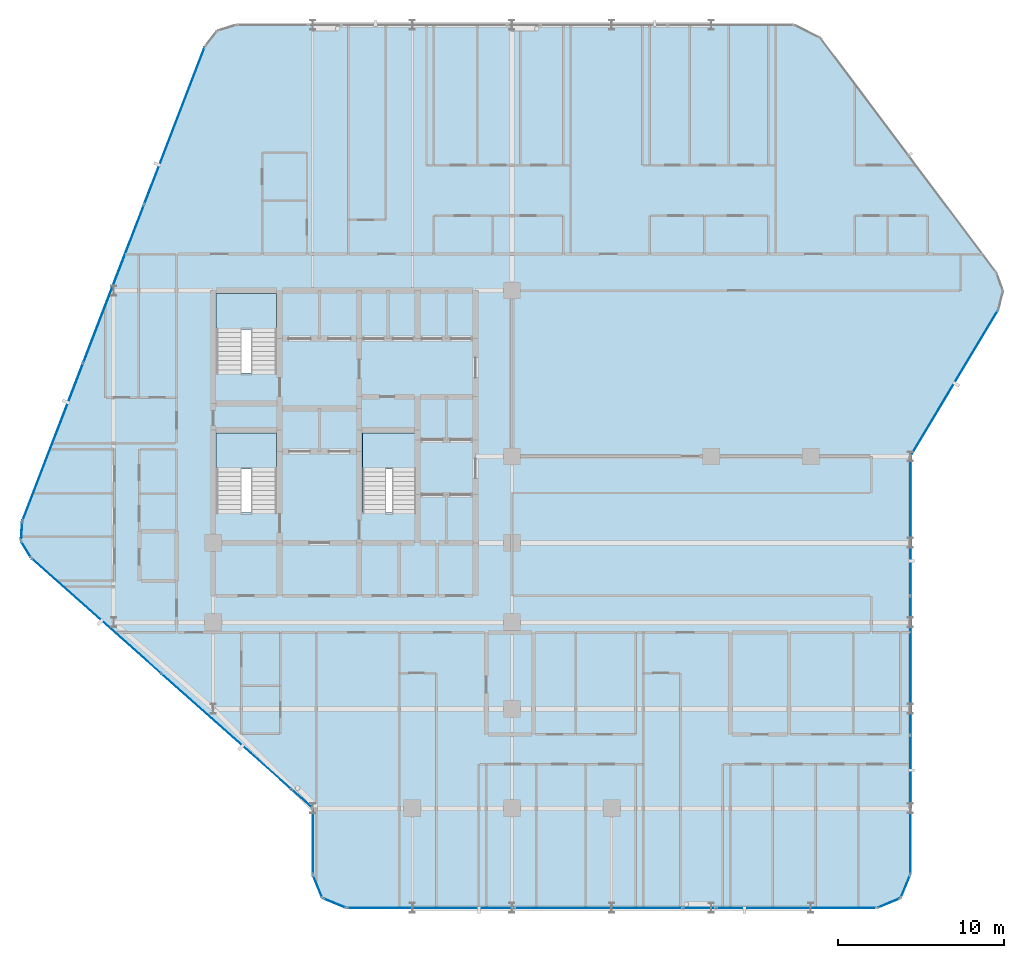
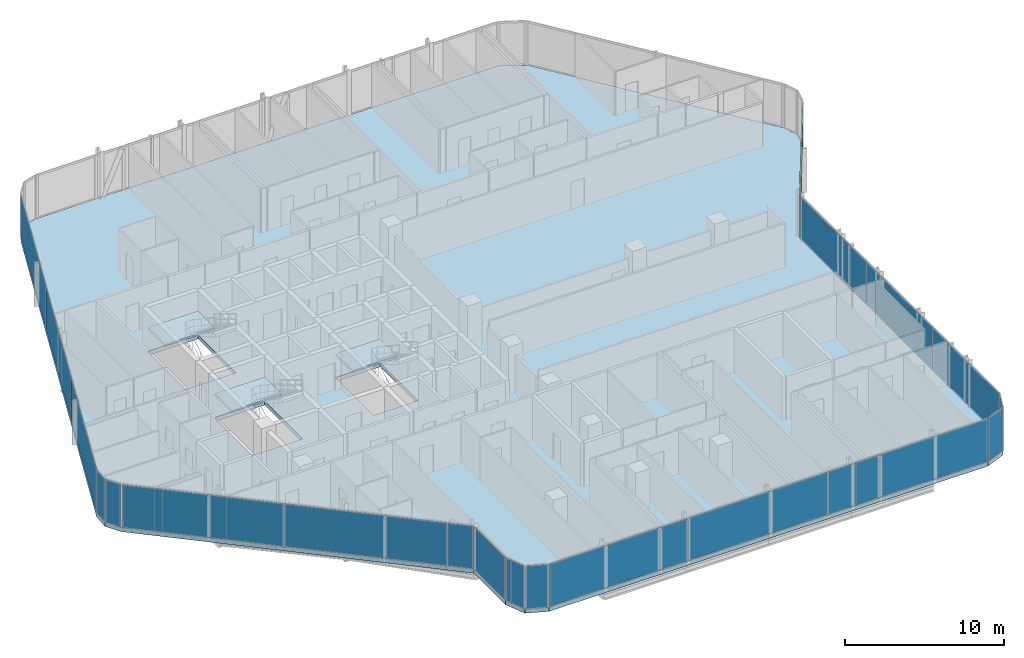
# One storey, part 22 of 30: 21 plates, 4 slabs, 18 elements without a shape of their own.
"""IFC4 building model written with IfcOpenShell, lengths in metres."""

from ifc_helpers import new_model, si_unit, direction, frame, origin, origin_2d, place, context, subcontext, project, spatial, polyline, rectangle, outline, extrude, material, layer, layer_set, type_object, element, aggregate, save


model = new_model("IFC4")

# Units and contexts
model_context = context("Model", 3, precision=1e-05, world=origin(), true_north=direction((0.0, 1.0)))
body_context = subcontext(model_context, "Body", "Model", "MODEL_VIEW")
ifc_project = project(units=[si_unit("LENGTHUNIT", "METRE"), si_unit("AREAUNIT", "SQUARE_METRE"), si_unit("VOLUMEUNIT", "CUBIC_METRE"), si_unit("PLANEANGLEUNIT", "RADIAN"), si_unit("MASSUNIT", "GRAM", prefix="KILO")], contexts=[model_context])

# Site, building, storey
site_placement = place(None, origin())
site = spatial("IfcSite", under=ifc_project, at=site_placement, CompositionType="ELEMENT")
building_placement = place(site_placement, origin())
building = spatial("IfcBuilding", under=site, at=building_placement, Name="Keshet Zoharim Tower", CompositionType="ELEMENT")
storey_placement = place(building_placement, frame((0.0, 0.0, 109.39990234375)))
storey = spatial("IfcBuildingStorey", under=building, at=storey_placement, Name="L26", CompositionType="ELEMENT", Elevation=109.39990234375)

# Curtain wall, plate
ifc_material_1 = material(Name="Aluminium 6063-T6", Category="aluminium")
ifc_layer_1 = layer(ifc_material_1, 0.159912109375)
ifc_layer_set_1 = layer_set([ifc_layer_1], Name="Aluminium 6063-T6")
curtain_wall_type = type_object("IfcCurtainWallType", Name="CW-SYS-03", PredefinedType="NOTDEFINED", material=ifc_layer_set_1)
curtain_wall_1_placement = place(storey_placement, origin())
curtain_wall_1 = element("IfcCurtainWall", 1, at=curtain_wall_1_placement, inside=storey, type_object=curtain_wall_type, Name="L26 Unitised Curtain Wall 01", PredefinedType="NOTDEFINED")
ifc_material_2 = material(Name="Insulated Low-E Clear Glass", Category="glass")
ifc_layer_2 = layer(ifc_material_2, 0.035888671875)
ifc_layer_set_2 = layer_set([ifc_layer_2], Name="Insulated Low-E Clear Glass")
plate_type_1 = type_object("IfcPlateType", Name="CWP-01", PredefinedType="CURTAIN_PANEL", material=ifc_layer_set_2)
plate_1_placement = place(storey_placement, frame((56.70703125, 1.992919921875, 0.070068359375), z_axis=(0.0, 0.0, 1.0), x_axis=(-0.382851849847, -0.92380975372, 0.0)))
plate_1 = element("IfcPlate", 2, at=plate_1_placement, type_object=plate_type_1, Name="CW-03 panel 1.1", PredefinedType="CURTAIN_PANEL", context=body_context, shape_type="SweptSolid", body=[
    extrude(rectangle(XDim=1.390625, YDim=0.035888671875, at=origin_2d()), origin(), (0.0, 0.0, 1.0), 3.2451171875),
])
aggregate(curtain_wall_1, [plate_1])

curtain_wall_2_placement = place(storey_placement, origin())
curtain_wall_2 = element("IfcCurtainWall", 3, at=curtain_wall_2_placement, inside=storey, type_object=curtain_wall_type, Name="L26 Unitised Curtain Wall 02", PredefinedType="NOTDEFINED")
plate_2_placement = place(storey_placement, frame((55.70703125, 0.992919921875, 0.070068359375), z_axis=(0.0, 0.0, 1.0), x_axis=(-0.92380975372, -0.382851849847, 0.0)))
plate_2 = element("IfcPlate", 4, at=plate_2_placement, type_object=plate_type_1, Name="CW-03 panel 1.1", PredefinedType="CURTAIN_PANEL", context=body_context, shape_type="SweptSolid", body=[
    extrude(rectangle(XDim=1.390625, YDim=0.035888671875, at=origin_2d()), origin(), (0.0, 0.0, 1.0), 3.2451171875),
])
aggregate(curtain_wall_2, [plate_2])

curtain_wall_3_placement = place(storey_placement, origin())
curtain_wall_3 = element("IfcCurtainWall", 5, at=curtain_wall_3_placement, inside=storey, type_object=curtain_wall_type, Name="L26 Unitised Curtain Wall 03", PredefinedType="NOTDEFINED")
plate_3_placement = place(storey_placement, frame((50.1240234375, 0.699951171875, 0.070068359375), z_axis=(0.0, 0.0, 1.0), x_axis=(-1.0, 0.0, 0.0)))
plate_3 = element("IfcPlate", 6, at=plate_3_placement, type_object=plate_type_1, Name="CW-03 panel 1.1", PredefinedType="CURTAIN_PANEL", context=body_context, shape_type="SweptSolid", body=[
    extrude(rectangle(XDim=9.61181640625, YDim=0.035888671875, at=origin_2d()), origin(), (0.0, 0.0, 1.0), 3.2451171875),
])
aggregate(curtain_wall_3, [plate_3])

# Curtain wall, plates
curtain_wall_4_placement = place(storey_placement, origin())
curtain_wall_4 = element("IfcCurtainWall", 7, at=curtain_wall_4_placement, inside=storey, type_object=curtain_wall_type, Name="L26 Unitised Curtain Wall 03 Part 3", PredefinedType="NOTDEFINED")
plate_4_placement = place(storey_placement, frame((38.20654296875, 0.699951171875, 0.070068359375), z_axis=(0.0, 0.0, 1.0), x_axis=(-1.0, 0.0, 0.0)))
plate_4 = element("IfcPlate", 8, at=plate_4_placement, type_object=plate_type_1, Name="CW-03 panel 1.1", PredefinedType="CURTAIN_PANEL", context=body_context, shape_type="SweptSolid", body=[
    extrude(rectangle(XDim=10.091064453125, YDim=0.035888671875, at=origin_2d()), origin(), (0.0, 0.0, 1.0), 3.2451171875),
])
plate_5_placement = place(storey_placement, frame((28.08056640625, 0.699951171875, 0.070068359375), z_axis=(0.0, 0.0, 1.0), x_axis=(-1.0, 0.0, 0.0)))
plate_5 = element("IfcPlate", 9, at=plate_5_placement, type_object=plate_type_1, Name="CW-03 panel 2.1", PredefinedType="CURTAIN_PANEL", context=body_context, shape_type="SweptSolid", body=[
    extrude(rectangle(XDim=10.02099609375, YDim=0.035888671875, at=origin_2d()), origin(), (0.0, 0.0, 1.0), 3.2451171875),
])
aggregate(curtain_wall_4, [plate_4, plate_5])

# Curtain wall, plate
curtain_wall_5_placement = place(storey_placement, origin())
curtain_wall_5 = element("IfcCurtainWall", 10, at=curtain_wall_5_placement, inside=storey, type_object=curtain_wall_type, Name="L26 Unitised Curtain Wall 04", PredefinedType="NOTDEFINED")
plate_6_placement = place(storey_placement, frame((22.29296875, 0.992919921875, 0.070068359375), z_axis=(0.0, 0.0, 1.0), x_axis=(-0.92380975372, 0.382851849847, 0.0)))
plate_6 = element("IfcPlate", 11, at=plate_6_placement, type_object=plate_type_1, Name="CW-03 panel 1.1", PredefinedType="CURTAIN_PANEL", context=body_context, shape_type="SweptSolid", body=[
    extrude(rectangle(XDim=1.390625, YDim=0.035888671875, at=origin_2d()), origin(), (0.0, 0.0, 1.0), 3.2451171875),
])
aggregate(curtain_wall_5, [plate_6])

curtain_wall_6_placement = place(storey_placement, origin())
curtain_wall_6 = element("IfcCurtainWall", 12, at=curtain_wall_6_placement, inside=storey, type_object=curtain_wall_type, Name="L26 Unitised Curtain Wall 05", PredefinedType="NOTDEFINED")
plate_7_placement = place(storey_placement, frame((21.29296875, 1.992919921875, 0.070068359375), z_axis=(0.0, 0.0, 1.0), x_axis=(-0.382851849847, 0.92380975372, 0.0)))
plate_7 = element("IfcPlate", 13, at=plate_7_placement, type_object=plate_type_1, Name="CW-03 panel 1.1", PredefinedType="CURTAIN_PANEL", context=body_context, shape_type="SweptSolid", body=[
    extrude(rectangle(XDim=1.390625, YDim=0.035888671875, at=origin_2d()), origin(), (0.0, 0.0, 1.0), 3.2451171875),
])
aggregate(curtain_wall_6, [plate_7])

curtain_wall_7_placement = place(storey_placement, origin())
curtain_wall_7 = element("IfcCurtainWall", 14, at=curtain_wall_7_placement, inside=storey, type_object=curtain_wall_type, Name="L26 Unitised Curtain Wall 06", PredefinedType="NOTDEFINED")
plate_8_placement = place(storey_placement, frame((21.0, 4.699951171875, 0.070068359375), z_axis=(0.0, 0.0, 1.0), x_axis=(0.0, 1.0, 0.0)))
plate_8 = element("IfcPlate", 15, at=plate_8_placement, type_object=plate_type_1, Name="CW-03 panel 1.1", PredefinedType="CURTAIN_PANEL", context=body_context, shape_type="SweptSolid", body=[
    extrude(rectangle(XDim=3.860107421875, YDim=0.035888671875, at=origin_2d()), origin(), (0.0, 0.0, 1.0), 3.2451171875),
])
aggregate(curtain_wall_7, [plate_8])

# Curtain wall, plates
curtain_wall_8_placement = place(storey_placement, origin())
curtain_wall_8 = element("IfcCurtainWall", 16, at=curtain_wall_8_placement, inside=storey, type_object=curtain_wall_type, Name="L26 Unitised Curtain Wall 07 Part 2", PredefinedType="NOTDEFINED")
plate_9_placement = place(storey_placement, frame((15.793212890625, 11.328369140625, 0.070068359375), z_axis=(0.0, 0.0, 1.0), x_axis=(-0.747411161917, 0.664361765187, 0.0)))
plate_9 = element("IfcPlate", 17, at=plate_9_placement, type_object=plate_type_1, Name="CW-03 panel 1.1", PredefinedType="CURTAIN_PANEL", context=body_context, shape_type="SweptSolid", body=[
    extrude(rectangle(XDim=10.44140625, YDim=0.035888671875, at=origin_2d()), origin(), (0.0, 0.0, 1.0), 3.2451171875),
])
plate_10_placement = place(storey_placement, frame((7.963134765625, 18.288330078125, 0.070068359375), z_axis=(0.0, 0.0, 1.0), x_axis=(-0.747411161917, 0.664361765187, 0.0)))
plate_10 = element("IfcPlate", 18, at=plate_10_placement, type_object=plate_type_1, Name="CW-03 panel 2.1", PredefinedType="CURTAIN_PANEL", context=body_context, shape_type="SweptSolid", body=[
    extrude(rectangle(XDim=10.371337890625, YDim=0.035888671875, at=origin_2d()), origin(), (0.0, 0.0, 1.0), 3.2451171875),
])
aggregate(curtain_wall_8, [plate_9, plate_10])

# Curtain wall, plate
curtain_wall_9_placement = place(storey_placement, origin())
curtain_wall_9 = element("IfcCurtainWall", 19, at=curtain_wall_9_placement, inside=storey, type_object=curtain_wall_type, Name="L26 Unitised Curtain Wall 08", PredefinedType="NOTDEFINED")
plate_11_placement = place(storey_placement, frame((3.7275390625, 22.291015625, 0.070068359375), z_axis=(0.0, 0.0, 1.0), x_axis=(-0.515604947933, 0.856826433805, 0.0)))
plate_11 = element("IfcPlate", 20, at=plate_11_placement, type_object=plate_type_1, Name="CW-03 panel 1.1", PredefinedType="CURTAIN_PANEL", context=body_context, shape_type="SweptSolid", body=[
    extrude(rectangle(XDim=1.052734375, YDim=0.035888671875, at=origin_2d()), origin(), (0.0, 0.0, 1.0), 3.2451171875),
])
aggregate(curtain_wall_9, [plate_11])

curtain_wall_10_placement = place(storey_placement, origin())
curtain_wall_10 = element("IfcCurtainWall", 21, at=curtain_wall_10_placement, inside=storey, type_object=curtain_wall_type, Name="L26 Unitised Curtain Wall 09", PredefinedType="NOTDEFINED")
plate_12_placement = place(storey_placement, frame((3.45849609375, 23.3974609375, 0.070068359375), z_axis=(0.0, 0.0, 1.0), x_axis=(0.064516859374, 0.997916617186, 0.0)))
plate_12 = element("IfcPlate", 22, at=plate_12_placement, type_object=plate_type_1, Name="CW-03 panel 1.1", PredefinedType="CURTAIN_PANEL", context=body_context, shape_type="SweptSolid", body=[
    extrude(rectangle(XDim=1.053466796875, YDim=0.035888671875, at=origin_2d()), origin(), (0.0, 0.0, 1.0), 3.2451171875),
])
aggregate(curtain_wall_10, [plate_12])

# Curtain wall, plates
curtain_wall_11_placement = place(storey_placement, origin())
curtain_wall_11 = element("IfcCurtainWall", 23, at=curtain_wall_11_placement, inside=storey, type_object=curtain_wall_type, Name="L26 Unitised Curtain Wall 10", PredefinedType="NOTDEFINED")
plate_13_placement = place(storey_placement, frame((5.33837890625, 28.7802734375, 0.070068359375), z_axis=(0.0, 0.0, 1.0), x_axis=(0.358990003907, 0.933341404361, 0.0)))
plate_13 = element("IfcPlate", 24, at=plate_13_placement, type_object=plate_type_1, Name="CW-03 panel 1.1", PredefinedType="CURTAIN_PANEL", context=body_context, shape_type="SweptSolid", body=[
    extrude(rectangle(XDim=10.1181640625, YDim=0.035888671875, at=origin_2d()), origin(), (0.0, 0.0, 1.0), 3.2451171875),
])
plate_14_placement = place(storey_placement, frame((9.001953125, 38.305419921875, 0.070068359375), z_axis=(0.0, 0.0, 1.0), x_axis=(0.358990003907, 0.933341404361, 0.0)))
plate_14 = element("IfcPlate", 25, at=plate_14_placement, type_object=plate_type_1, Name="CW-03 panel 2.1", PredefinedType="CURTAIN_PANEL", context=body_context, shape_type="SweptSolid", body=[
    extrude(rectangle(XDim=10.153076171875, YDim=0.035888671875, at=origin_2d()), origin(), (0.0, 0.0, 1.0), 3.2451171875),
])
plate_15_placement = place(storey_placement, frame((12.665771484375, 47.830810546875, 0.070068359375), z_axis=(0.0, 0.0, 1.0), x_axis=(0.358990003907, 0.933341404361, 0.0)))
plate_15 = element("IfcPlate", 26, at=plate_15_placement, type_object=plate_type_1, Name="CW-03 panel 3.1", PredefinedType="CURTAIN_PANEL", context=body_context, shape_type="SweptSolid", body=[
    extrude(rectangle(XDim=10.1181640625, YDim=0.035888671875, at=origin_2d()), origin(), (0.0, 0.0, 1.0), 3.2451171875),
])
aggregate(curtain_wall_11, [plate_13, plate_14, plate_15])

# Curtain wall, plate
curtain_wall_12_placement = place(storey_placement, origin())
curtain_wall_12 = element("IfcCurtainWall", 27, at=curtain_wall_12_placement, inside=storey, type_object=curtain_wall_type, Name="L26 Unitised Curtain Wall 18", PredefinedType="NOTDEFINED")
plate_16_placement = place(storey_placement, frame((59.654052734375, 32.323486328125, 0.070068359375), z_axis=(0.0, 0.0, 1.0), x_axis=(-0.514481501576, -0.857501477862, 0.0)))
plate_16 = element("IfcPlate", 28, at=plate_16_placement, type_object=plate_type_1, Name="CW-03 panel 1.1", PredefinedType="CURTAIN_PANEL", context=body_context, shape_type="SweptSolid", body=[
    extrude(rectangle(XDim=10.17724609375, YDim=0.035888671875, at=origin_2d()), origin(), (0.0, 0.0, 1.0), 3.2451171875),
])
aggregate(curtain_wall_12, [plate_16])

# Curtain wall, plates
curtain_wall_13_placement = place(storey_placement, origin())
curtain_wall_13 = element("IfcCurtainWall", 29, at=curtain_wall_13_placement, inside=storey, type_object=curtain_wall_type, Name="L26 Unitised Curtain Wall 19", PredefinedType="NOTDEFINED")
ifc_layer_3 = layer(ifc_material_2, 0.031982421875)
ifc_layer_set_3 = layer_set([ifc_layer_3], Name="Insulated Low-E Clear Glass")
plate_type_2 = type_object("IfcPlateType", Name="CWP-02", PredefinedType="CURTAIN_PANEL", material=ifc_layer_set_3)
plate_17_placement = place(storey_placement, frame((57.0, 23.6826171875, 0.070068359375), z_axis=(0.0, 0.0, 1.0), x_axis=(0.0, -1.0, 0.0)))
plate_17 = element("IfcPlate", 30, at=plate_17_placement, type_object=plate_type_2, Name="CW-03 panel 1.1", PredefinedType="CURTAIN_PANEL", context=body_context, shape_type="SweptSolid", body=[
    extrude(rectangle(XDim=8.294921875, YDim=0.031982421875, at=origin_2d()), origin(), (0.0, 0.0, 1.0), 3.2451171875),
])
plate_18_placement = place(storey_placement, frame((57.0, 15.300048828125, 0.070068359375), z_axis=(0.0, 0.0, 1.0), x_axis=(0.0, -1.0, 0.0)))
plate_18 = element("IfcPlate", 31, at=plate_18_placement, type_object=plate_type_2, Name="CW-03 panel 2.1", PredefinedType="CURTAIN_PANEL", context=body_context, shape_type="SweptSolid", body=[
    extrude(rectangle(XDim=8.330078125, YDim=0.031982421875, at=origin_2d()), origin(), (0.0, 0.0, 1.0), 3.2451171875),
])
plate_19_placement = place(storey_placement, frame((57.0, 6.91748046875, 0.070068359375), z_axis=(0.0, 0.0, 1.0), x_axis=(0.0, -1.0, 0.0)))
plate_19 = element("IfcPlate", 32, at=plate_19_placement, type_object=plate_type_2, Name="CW-03 panel 3.1", PredefinedType="CURTAIN_PANEL", context=body_context, shape_type="SweptSolid", body=[
    extrude(rectangle(XDim=8.294921875, YDim=0.031982421875, at=origin_2d()), origin(), (0.0, 0.0, 1.0), 3.2451171875),
])
aggregate(curtain_wall_13, [plate_17, plate_18, plate_19])

# Curtain wall, plate
curtain_wall_14_placement = place(storey_placement, origin())
curtain_wall_14 = element("IfcCurtainWall", 33, at=curtain_wall_14_placement, inside=storey, type_object=curtain_wall_type, Name="L26 Unitised Curtain Wall 03 Part 2", PredefinedType="NOTDEFINED")
ifc_material_3 = material(Name="Insulated Aluminium Spandrel Panel", Category="aluminium")
ifc_layer_4 = layer(ifc_material_3, 0.035888671875)
ifc_layer_set_4 = layer_set([ifc_layer_4], Name="Insulated Aluminium Spandrel Panel")
plate_type_3 = type_object("IfcPlateType", Name="CWP-04", PredefinedType="CURTAIN_PANEL", material=ifc_layer_set_4)
plate_20_placement = place(storey_placement, frame((44.284912109375, 0.699951171875, 0.070068359375), z_axis=(0.0, 0.0, 1.0), x_axis=(-1.0, 0.0, 0.0)))
plate_20 = element("IfcPlate", 34, at=plate_20_placement, type_object=plate_type_3, Name="CW-03 spandrel panel 1.1", PredefinedType="CURTAIN_PANEL", context=body_context, shape_type="SweptSolid", body=[
    extrude(rectangle(XDim=1.92626953125, YDim=0.035888671875, at=origin_2d()), origin(), (0.0, 0.0, 1.0), 3.2451171875),
])
aggregate(curtain_wall_14, [plate_20])

curtain_wall_15_placement = place(storey_placement, origin())
curtain_wall_15 = element("IfcCurtainWall", 35, at=curtain_wall_15_placement, inside=storey, type_object=curtain_wall_type, Name="L26 Unitised Curtain Wall 07", PredefinedType="NOTDEFINED")
plate_21_placement = place(storey_placement, frame((20.34765625, 7.280029296875, 0.070068359375), z_axis=(0.0, 0.0, 1.0), x_axis=(-0.747387196403, 0.664388725561, 0.0)))
plate_21 = element("IfcPlate", 36, at=plate_21_placement, type_object=plate_type_3, Name="CW-03 spandrel panel 1.1", PredefinedType="CURTAIN_PANEL", context=body_context, shape_type="SweptSolid", body=[
    extrude(rectangle(XDim=1.605712890625, YDim=0.035888671875, at=origin_2d()), origin(), (0.0, 0.0, 1.0), 3.2451171875),
])
aggregate(curtain_wall_15, [plate_21])

# Stair, slab
ifc_material_4 = material(Name="Concrete C50/60", Category="concrete")
stair_type = type_object("IfcStairType", Name="STR-EXIT-135", PredefinedType="HALF_TURN_STAIR", material=ifc_material_4)
stair_1_placement = place(storey_placement, origin())
stair_1 = element("IfcStair", 37, at=stair_1_placement, inside=storey, type_object=stair_type, Name="L26 Enclosed Exit Stair ST-01", PredefinedType="HALF_TURN_STAIR")
ifc_layer_5 = layer(ifc_material_4, 0.199951171875)
ifc_layer_set_5 = layer_set([ifc_layer_5], Name="Concrete C50/60")
slab_type_1 = type_object("IfcSlabType", Name="SLB-LND-200", PredefinedType="LANDING", material=ifc_layer_set_5)
slab_1_placement = place(storey_placement, frame((0.0, 0.0, 1.650146484375)))
slab_1 = element("IfcSlab", 38, at=slab_1_placement, type_object=slab_type_1, Name="ST-01 landing 1", PredefinedType="LANDING", context=body_context, shape_type="SweptSolid", body=[
    extrude(outline(polyline([(15.179931640625, 27.159912109375), (18.820068359375, 27.159912109375), (18.820068359375, 29.320068359375), (15.179931640625, 29.320068359375), (15.179931640625, 27.159912109375)])), origin(), (0.0, 0.0, 1.0), 0.199951171875),
])
aggregate(stair_1, [slab_1])

stair_2_placement = place(storey_placement, origin())
stair_2 = element("IfcStair", 39, at=stair_2_placement, inside=storey, type_object=stair_type, Name="L26 Enclosed Exit Stair ST-02", PredefinedType="HALF_TURN_STAIR")
slab_2_placement = place(storey_placement, frame((0.0, 0.0, 1.650146484375)))
slab_2 = element("IfcSlab", 40, at=slab_2_placement, type_object=slab_type_1, Name="ST-02 landing 1", PredefinedType="LANDING", context=body_context, shape_type="SweptSolid", body=[
    extrude(outline(polyline([(15.179931640625, 35.56005859375), (18.820068359375, 35.56005859375), (18.820068359375, 37.719970703125), (15.179931640625, 37.719970703125), (15.179931640625, 35.56005859375)])), origin(), (0.0, 0.0, 1.0), 0.199951171875),
])
aggregate(stair_2, [slab_2])

stair_3_placement = place(storey_placement, origin())
stair_3 = element("IfcStair", 41, at=stair_3_placement, inside=storey, type_object=stair_type, Name="L26 Enclosed Exit Stair ST-03", PredefinedType="HALF_TURN_STAIR")
slab_3_placement = place(storey_placement, frame((0.0, 0.0, 1.650146484375)))
slab_3 = element("IfcSlab", 42, at=slab_3_placement, type_object=slab_type_1, Name="ST-03 landing 1", PredefinedType="LANDING", context=body_context, shape_type="SweptSolid", body=[
    extrude(outline(polyline([(23.97998046875, 27.159912109375), (27.219970703125, 27.159912109375), (27.219970703125, 29.320068359375), (23.97998046875, 29.320068359375), (23.97998046875, 27.159912109375)])), origin(), (0.0, 0.0, 1.0), 0.199951171875),
])
aggregate(stair_3, [slab_3])

# Slab
ifc_layer_6 = layer(ifc_material_4, 0.31494140625)
ifc_layer_set_6 = layer_set([ifc_layer_6], Name="Concrete C50/60")
slab_type_2 = type_object("IfcSlabType", Name="SLB-LOW-260", PredefinedType="FLOOR", material=ifc_layer_set_6)
slab_4_placement = place(storey_placement, frame((0.0, 0.0, -0.31494140625)))
element("IfcSlab", 43, at=slab_4_placement, inside=storey, type_object=slab_type_2, Name="L26 Structural Floor Slab 1", PredefinedType="FLOOR", context=body_context, shape_type="SweptSolid", body=[
    extrude(outline(polyline([(57.0, 2.699951171875), (56.4140625, 1.285888671875), (55.0, 0.699951171875), (23.0, 0.699951171875), (21.5859375, 1.285888671875), (21.0, 2.699951171875), (21.0, 6.699951171875), (4.034912109375, 21.780029296875), (3.419921875, 22.802001953125), (3.4970703125, 23.992919921875), (14.507080078125, 52.617919921875), (15.240966796875, 53.549072265625), (16.3740234375, 53.89990234375), (50.0, 53.89990234375), (51.60009765625, 53.10009765625), (62.193115234375, 38.97607421875), (62.590087890625, 37.87890625), (62.30810546875, 36.7470703125), (57.0, 27.89990234375), (57.0, 2.699951171875)]), holes=[polyline([(15.179931640625, 24.52001953125), (18.820068359375, 24.52001953125), (18.820068359375, 29.320068359375), (15.179931640625, 29.320068359375), (15.179931640625, 24.52001953125)]), polyline([(15.179931640625, 32.919921875), (18.820068359375, 32.919921875), (18.820068359375, 37.719970703125), (15.179931640625, 37.719970703125), (15.179931640625, 32.919921875)]), polyline([(23.97998046875, 24.52001953125), (27.219970703125, 24.52001953125), (27.219970703125, 29.320068359375), (23.97998046875, 29.320068359375), (23.97998046875, 24.52001953125)])]), origin(), (0.0, 0.0, 1.0), 0.31494140625),
])

save(model, "model.ifc")
